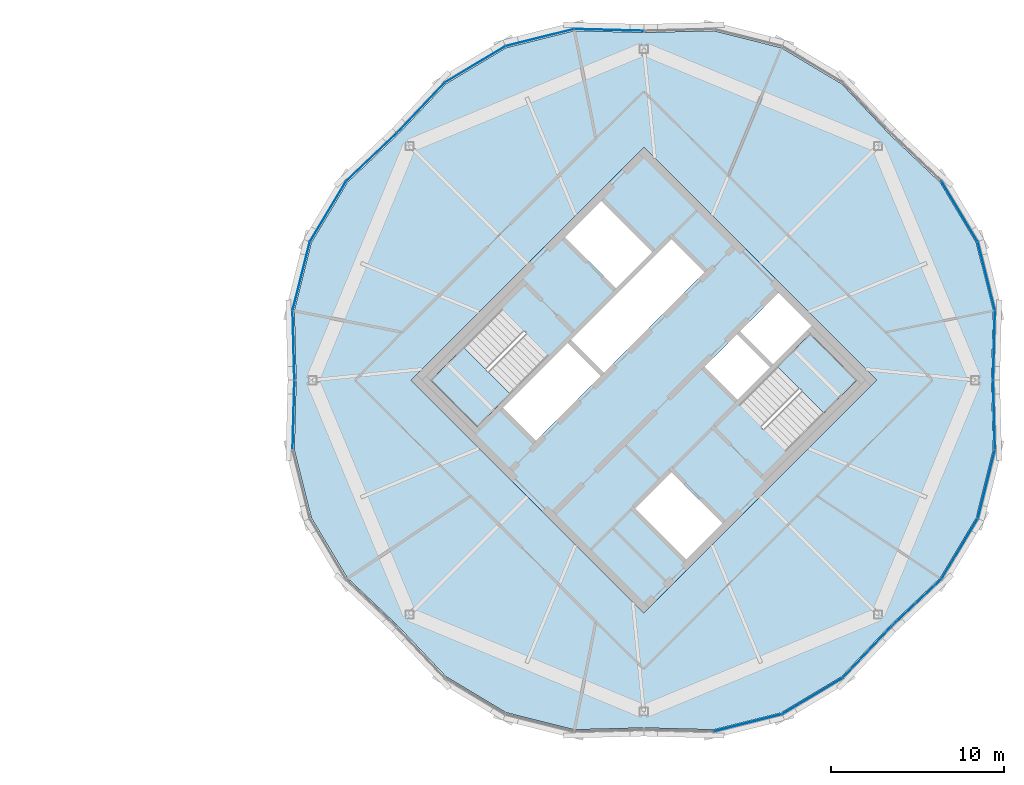
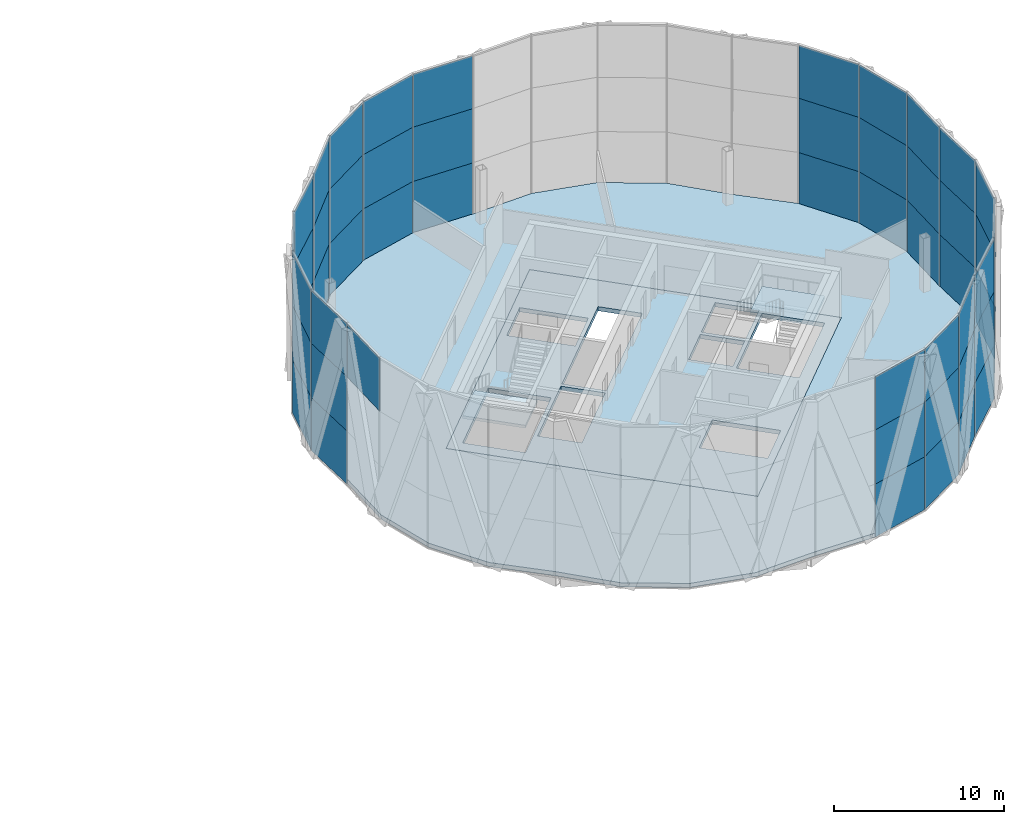
# One storey, part 14 of 22: 55 plates, 4 slabs, 8 elements without a shape of their own.
"""IFC4 building model written with IfcOpenShell, lengths in metres."""

from ifc_helpers import new_model, si_unit, direction, frame, origin, origin_2d, place, context, subcontext, project, spatial, polyline, rectangle, outline, extrude, material, layer, layer_set, type_object, element, aggregate, save


model = new_model("IFC4")

# Units and contexts
model_context = context("Model", 3, precision=1e-05, world=origin(), true_north=direction((0.0, 1.0)))
body_context = subcontext(model_context, "Body", "Model", "MODEL_VIEW")
ifc_project = project(units=[si_unit("LENGTHUNIT", "METRE"), si_unit("AREAUNIT", "SQUARE_METRE"), si_unit("VOLUMEUNIT", "CUBIC_METRE"), si_unit("PLANEANGLEUNIT", "RADIAN"), si_unit("MASSUNIT", "GRAM", prefix="KILO")], contexts=[model_context])

# Site, building, storey
site_placement = place(None, origin())
site = spatial("IfcSite", under=ifc_project, at=site_placement, CompositionType="ELEMENT")
building_placement = place(site_placement, origin())
building = spatial("IfcBuilding", under=site, at=building_placement, Name="Ogive Gate Towers", CompositionType="ELEMENT")
storey_placement = place(building_placement, frame((0.0, 0.0, 228.89990234375)))
storey = spatial("IfcBuildingStorey", under=building, at=storey_placement, Name="L54", CompositionType="ELEMENT", Elevation=228.89990234375)

# Slabs
ifc_material_1 = material(Name="Concrete C40/50", Category="concrete")
ifc_layer_1 = layer(ifc_material_1, 0.300048828125)
ifc_layer_set_1 = layer_set([ifc_layer_1], Name="Core slab C40/50 300 mm")
slab_type_1 = type_object("IfcSlabType", Name="Core slab C40/50 300 mm", PredefinedType="FLOOR", material=ifc_layer_set_1)
slab_1_placement = place(storey_placement, frame((0.0, 0.0, -0.2998046875)))
element("IfcSlab", 1, at=slab_1_placement, inside=storey, type_object=slab_type_1, Name="T2 L54 core slab", PredefinedType="FLOOR", context=body_context, shape_type="SweptSolid", body=[
    extrude(outline(polyline([(36.0, -13.43505859375), (22.56494140625, 0.0), (36.0, 13.43505859375), (49.43505859375, 0.0), (36.0, -13.43505859375)]), holes=[polyline([(29.777587890625, -3.500244140625), (33.525146484375, 0.24755859375), (31.615966796875, 2.15673828125), (27.868408203125, -1.591064453125), (29.777587890625, -3.500244140625)]), polyline([(31.792724609375, 2.33349609375), (33.701904296875, 0.42431640625), (39.500244140625, 6.222412109375), (37.591064453125, 8.131591796875), (31.792724609375, 2.33349609375)]), polyline([(41.3740234375, 2.651611328125), (39.500244140625, 0.77783203125), (41.409423828125, -1.13134765625), (43.283203125, 0.742431640625), (41.3740234375, 2.651611328125)]), polyline([(45.669677734375, 3.12890625), (43.760498046875, 5.0380859375), (41.55078125, 2.828369140625), (43.4599609375, 0.919189453125), (45.669677734375, 3.12890625)]), polyline([(34.408935546875, 5.30322265625), (36.4951171875, 7.389404296875), (33.542724609375, 10.34130859375), (31.456787109375, 8.255615234375), (34.408935546875, 5.30322265625)]), polyline([(35.5048828125, -7.389404296875), (38.457275390625, -10.34130859375), (40.543212890625, -8.255615234375), (37.591064453125, -5.30322265625), (35.5048828125, -7.389404296875)]), polyline([(26.40087890625, -2.70458984375), (30.512939453125, 1.406982421875), (27.80810546875, 4.11181640625), (23.6962890625, 0.0), (26.40087890625, -2.70458984375)]), polyline([(48.3037109375, 0.0), (45.59912109375, 2.70458984375), (41.487060546875, -1.406982421875), (44.19189453125, -4.11181640625), (48.3037109375, 0.0)])]), origin(), (0.0, 0.0, 1.0), 0.2998046875),
])
ifc_material_2 = material(Name="Concrete C35/45", Category="concrete")
ifc_layer_2 = layer(ifc_material_2, 0.300048828125)
ifc_layer_set_2 = layer_set([ifc_layer_2], Name="Floor slab 300")
slab_type_2 = type_object("IfcSlabType", Name="Floor slab 300", PredefinedType="FLOOR", material=ifc_layer_set_2)
slab_2_placement = place(storey_placement, frame((0.0, 0.0, -0.2998046875)))
element("IfcSlab", 2, at=slab_2_placement, inside=storey, type_object=slab_type_2, Name="T2/L54/SSL001", PredefinedType="FLOOR", context=body_context, shape_type="SweptSolid", body=[
    extrude(outline(polyline([(56.155029296875, -4.009033203125), (56.050048828125, 0.0), (56.155029296875, 4.009033203125), (55.17041015625, 7.940673828125), (53.086669921875, 11.4169921875), (50.177490234375, 14.177490234375), (47.4169921875, 17.086669921875), (43.940673828125, 19.17041015625), (40.009033203125, 20.155029296875), (36.0, 20.050048828125), (31.990966796875, 20.155029296875), (28.059326171875, 19.17041015625), (24.5830078125, 17.086669921875), (21.822509765625, 14.177490234375), (18.913330078125, 11.4169921875), (16.82958984375, 7.940673828125), (15.844970703125, 4.009033203125), (15.949951171875, 0.0), (15.844970703125, -4.009033203125), (16.82958984375, -7.940673828125), (18.913330078125, -11.4169921875), (21.822509765625, -14.177490234375), (24.5830078125, -17.086669921875), (28.059326171875, -19.17041015625), (31.990966796875, -20.155029296875), (36.0, -20.050048828125), (40.009033203125, -20.155029296875), (43.940673828125, -19.17041015625), (47.4169921875, -17.086669921875), (50.177490234375, -14.177490234375), (53.086669921875, -11.4169921875), (55.17041015625, -7.940673828125), (56.155029296875, -4.009033203125)]), holes=[polyline([(49.43505859375, 0.0), (36.0, -13.43505859375), (22.56494140625, 0.0), (36.0, 13.43505859375), (49.43505859375, 0.0)])]), origin(), (0.0, 0.0, 1.0), 0.2998046875),
])

# Stair, slab
stair_type = type_object("IfcStairType", Name="Escape stair 1840 wide", PredefinedType="HALF_TURN_STAIR", material=ifc_material_1)
stair_1_placement = place(storey_placement, origin())
stair_1 = element("IfcStair", 3, at=stair_1_placement, inside=storey, type_object=stair_type, Name="L54 Escape stair 1", PredefinedType="HALF_TURN_STAIR")
ifc_layer_3 = layer(ifc_material_1, 0.199951171875)
ifc_layer_set_3 = layer_set([ifc_layer_3], Name="Stair landing 200 mm")
slab_type_3 = type_object("IfcSlabType", Name="Stair landing 200 mm", PredefinedType="LANDING", material=ifc_layer_set_3)
slab_3_placement = place(storey_placement, frame((0.0, 0.0, 1.75)))
slab_3 = element("IfcSlab", 4, at=slab_3_placement, type_object=slab_type_3, Name="ST1 landing 1", PredefinedType="LANDING", context=body_context, shape_type="SweptSolid", body=[
    extrude(outline(polyline([(25.6044921875, 1.908203125), (23.6962890625, 0.0), (26.401123046875, -2.70458984375), (28.309326171875, -0.79638671875), (25.6044921875, 1.908203125)])), origin(), (0.0, 0.0, 1.0), 0.2001953125),
])
aggregate(stair_1, [slab_3])

stair_2_placement = place(storey_placement, origin())
stair_2 = element("IfcStair", 5, at=stair_2_placement, inside=storey, type_object=stair_type, Name="L54 Escape stair 2", PredefinedType="HALF_TURN_STAIR")
slab_4_placement = place(storey_placement, frame((0.0, 0.0, 1.75)))
slab_4 = element("IfcSlab", 6, at=slab_4_placement, type_object=slab_type_3, Name="ST2 landing 1", PredefinedType="LANDING", context=body_context, shape_type="SweptSolid", body=[
    extrude(outline(polyline([(46.3955078125, -1.908203125), (48.3037109375, 0.0), (45.598876953125, 2.70458984375), (43.690673828125, 0.79638671875), (46.3955078125, -1.908203125)])), origin(), (0.0, 0.0, 1.0), 0.2001953125),
])
aggregate(stair_2, [slab_4])

# Curtain wall, plates
ifc_material_3 = material(Name="Pale metal aluminium", Category="aluminium")
curtain_wall_type = type_object("IfcCurtainWallType", Name="Tower unitised wall, high zone", PredefinedType="NOTDEFINED", material=ifc_material_3)
curtain_wall_1_placement = place(storey_placement, origin())
curtain_wall_1 = element("IfcCurtainWall", 7, at=curtain_wall_1_placement, inside=storey, type_object=curtain_wall_type, Name="CW2 T2 ECW01", PredefinedType="NOTDEFINED")
ifc_material_4 = material(Name="Clear glass", Category="glass")
ifc_layer_4 = layer(ifc_material_4, 0.028076171875)
ifc_layer_set_4 = layer_set([ifc_layer_4], Name="Tower unitised wall, high zone glass panel")
plate_type = type_object("IfcPlateType", Name="Tower unitised wall, high zone glass panel", PredefinedType="CURTAIN_PANEL", material=ifc_layer_set_4)
plate_1_placement = place(storey_placement, frame((56.20263671875, 2.008056640625, -0.2041015625), z_axis=(0.0, 0.0, 1.0), x_axis=(0.026229290207, 0.999655952983, 0.0)))
plate_1 = element("IfcPlate", 8, at=plate_1_placement, type_object=plate_type, Name="CW2 glass panel", PredefinedType="CURTAIN_PANEL", context=body_context, shape_type="SweptSolid", body=[
    extrude(rectangle(XDim=3.963623046875, YDim=0.028076171875, at=origin_2d()), origin(), (0.0, 0.0, 1.0), 3.803955078125),
])
plate_2_placement = place(storey_placement, frame((56.20263671875, 2.008056640625, 3.60009765625), z_axis=(0.0, 0.0, 1.0), x_axis=(0.026229290207, 0.999655952983, 0.0)))
plate_2 = element("IfcPlate", 9, at=plate_2_placement, type_object=plate_type, Name="CW2 glass panel", PredefinedType="CURTAIN_PANEL", context=body_context, shape_type="SweptSolid", body=[
    extrude(rectangle(XDim=3.963623046875, YDim=0.028076171875, at=origin_2d()), origin(), (0.0, 0.0, 1.0), 3.89990234375),
])
plate_3_placement = place(storey_placement, frame((56.20263671875, 2.008056640625, 7.5), z_axis=(0.0, 0.0, 1.0), x_axis=(0.026229290207, 0.999655952983, 0.0)))
plate_3 = element("IfcPlate", 10, at=plate_3_placement, type_object=plate_type, Name="CW2 glass panel", PredefinedType="CURTAIN_PANEL", context=body_context, shape_type="SweptSolid", body=[
    extrude(rectangle(XDim=3.963623046875, YDim=0.028076171875, at=origin_2d()), origin(), (0.0, 0.0, 1.0), 3.803955078125),
])
plate_4_placement = place(storey_placement, frame((55.759765625, 5.999755859375, -0.2041015625), z_axis=(0.0, 0.0, 1.0), x_axis=(-0.242937854074, 0.970041854282, 0.0)))
plate_4 = element("IfcPlate", 11, at=plate_4_placement, type_object=plate_type, Name="CW2 glass panel", PredefinedType="CURTAIN_PANEL", context=body_context, shape_type="SweptSolid", body=[
    extrude(rectangle(XDim=4.01953125, YDim=0.028076171875, at=origin_2d()), origin(), (0.0, 0.0, 1.0), 3.803955078125),
])
plate_5_placement = place(storey_placement, frame((55.759765625, 5.999755859375, 3.60009765625), z_axis=(0.0, 0.0, 1.0), x_axis=(-0.242937854074, 0.970041854282, 0.0)))
plate_5 = element("IfcPlate", 12, at=plate_5_placement, type_object=plate_type, Name="CW2 glass panel", PredefinedType="CURTAIN_PANEL", context=body_context, shape_type="SweptSolid", body=[
    extrude(rectangle(XDim=4.01953125, YDim=0.028076171875, at=origin_2d()), origin(), (0.0, 0.0, 1.0), 3.89990234375),
])
plate_6_placement = place(storey_placement, frame((55.759765625, 5.999755859375, 7.5), z_axis=(0.0, 0.0, 1.0), x_axis=(-0.242937854074, 0.970041854282, 0.0)))
plate_6 = element("IfcPlate", 13, at=plate_6_placement, type_object=plate_type, Name="CW2 glass panel", PredefinedType="CURTAIN_PANEL", context=body_context, shape_type="SweptSolid", body=[
    extrude(rectangle(XDim=4.01953125, YDim=0.028076171875, at=origin_2d()), origin(), (0.0, 0.0, 1.0), 3.803955078125),
])
plate_7_placement = place(storey_placement, frame((54.214599609375, 9.729736328125, -0.2041015625), z_axis=(0.0, 0.0, 1.0), x_axis=(-0.514155138893, 0.85769720365, 0.0)))
plate_7 = element("IfcPlate", 14, at=plate_7_placement, type_object=plate_type, Name="CW2 glass panel", PredefinedType="CURTAIN_PANEL", context=body_context, shape_type="SweptSolid", body=[
    extrude(rectangle(XDim=4.01953125, YDim=0.028076171875, at=origin_2d()), origin(), (0.0, 0.0, 1.0), 3.803955078125),
])
plate_8_placement = place(storey_placement, frame((54.214599609375, 9.729736328125, 3.60009765625), z_axis=(0.0, 0.0, 1.0), x_axis=(-0.514155138893, 0.85769720365, 0.0)))
plate_8 = element("IfcPlate", 15, at=plate_8_placement, type_object=plate_type, Name="CW2 glass panel", PredefinedType="CURTAIN_PANEL", context=body_context, shape_type="SweptSolid", body=[
    extrude(rectangle(XDim=4.01953125, YDim=0.028076171875, at=origin_2d()), origin(), (0.0, 0.0, 1.0), 3.89990234375),
])
plate_9_placement = place(storey_placement, frame((54.214599609375, 9.729736328125, 7.5), z_axis=(0.0, 0.0, 1.0), x_axis=(-0.514155138893, 0.85769720365, 0.0)))
plate_9 = element("IfcPlate", 16, at=plate_9_placement, type_object=plate_type, Name="CW2 glass panel", PredefinedType="CURTAIN_PANEL", context=body_context, shape_type="SweptSolid", body=[
    extrude(rectangle(XDim=4.01953125, YDim=0.028076171875, at=origin_2d()), origin(), (0.0, 0.0, 1.0), 3.803955078125),
])
aggregate(curtain_wall_1, [plate_1, plate_2, plate_3, plate_4, plate_5, plate_6, plate_7, plate_8, plate_9])

curtain_wall_2_placement = place(storey_placement, origin())
curtain_wall_2 = element("IfcCurtainWall", 17, at=curtain_wall_2_placement, inside=storey, type_object=curtain_wall_type, Name="CW2 T2 ECW03", PredefinedType="NOTDEFINED")
plate_10_placement = place(storey_placement, frame((33.991943359375, 20.20263671875, -0.2041015625), z_axis=(0.0, 0.0, 1.0), x_axis=(-0.999655952983, 0.026229290207, 0.0)))
plate_10 = element("IfcPlate", 18, at=plate_10_placement, type_object=plate_type, Name="CW2 glass panel", PredefinedType="CURTAIN_PANEL", context=body_context, shape_type="SweptSolid", body=[
    extrude(rectangle(XDim=3.963623046875, YDim=0.028076171875, at=origin_2d()), origin(), (0.0, 0.0, 1.0), 3.803955078125),
])
plate_11_placement = place(storey_placement, frame((33.991943359375, 20.20263671875, 3.60009765625), z_axis=(0.0, 0.0, 1.0), x_axis=(-0.999655952983, 0.026229290207, 0.0)))
plate_11 = element("IfcPlate", 19, at=plate_11_placement, type_object=plate_type, Name="CW2 glass panel", PredefinedType="CURTAIN_PANEL", context=body_context, shape_type="SweptSolid", body=[
    extrude(rectangle(XDim=3.963623046875, YDim=0.028076171875, at=origin_2d()), origin(), (0.0, 0.0, 1.0), 3.89990234375),
])
plate_12_placement = place(storey_placement, frame((33.991943359375, 20.20263671875, 7.5), z_axis=(0.0, 0.0, 1.0), x_axis=(-0.999655952983, 0.026229290207, 0.0)))
plate_12 = element("IfcPlate", 20, at=plate_12_placement, type_object=plate_type, Name="CW2 glass panel", PredefinedType="CURTAIN_PANEL", context=body_context, shape_type="SweptSolid", body=[
    extrude(rectangle(XDim=3.963623046875, YDim=0.028076171875, at=origin_2d()), origin(), (0.0, 0.0, 1.0), 3.803955078125),
])
plate_13_placement = place(storey_placement, frame((30.000244140625, 19.759765625, -0.2041015625), z_axis=(0.0, 0.0, 1.0), x_axis=(-0.970041854282, -0.242937854074, 0.0)))
plate_13 = element("IfcPlate", 21, at=plate_13_placement, type_object=plate_type, Name="CW2 glass panel", PredefinedType="CURTAIN_PANEL", context=body_context, shape_type="SweptSolid", body=[
    extrude(rectangle(XDim=4.01953125, YDim=0.028076171875, at=origin_2d()), origin(), (0.0, 0.0, 1.0), 3.803955078125),
])
plate_14_placement = place(storey_placement, frame((30.000244140625, 19.759765625, 3.60009765625), z_axis=(0.0, 0.0, 1.0), x_axis=(-0.970041854282, -0.242937854074, 0.0)))
plate_14 = element("IfcPlate", 22, at=plate_14_placement, type_object=plate_type, Name="CW2 glass panel", PredefinedType="CURTAIN_PANEL", context=body_context, shape_type="SweptSolid", body=[
    extrude(rectangle(XDim=4.01953125, YDim=0.028076171875, at=origin_2d()), origin(), (0.0, 0.0, 1.0), 3.89990234375),
])
plate_15_placement = place(storey_placement, frame((30.000244140625, 19.759765625, 7.5), z_axis=(0.0, 0.0, 1.0), x_axis=(-0.970041854282, -0.242937854074, 0.0)))
plate_15 = element("IfcPlate", 23, at=plate_15_placement, type_object=plate_type, Name="CW2 glass panel", PredefinedType="CURTAIN_PANEL", context=body_context, shape_type="SweptSolid", body=[
    extrude(rectangle(XDim=4.01953125, YDim=0.028076171875, at=origin_2d()), origin(), (0.0, 0.0, 1.0), 3.803955078125),
])
plate_16_placement = place(storey_placement, frame((26.270263671875, 18.214599609375, -0.2041015625), z_axis=(0.0, 0.0, 1.0), x_axis=(-0.85769720365, -0.514155138893, 0.0)))
plate_16 = element("IfcPlate", 24, at=plate_16_placement, type_object=plate_type, Name="CW2 glass panel", PredefinedType="CURTAIN_PANEL", context=body_context, shape_type="SweptSolid", body=[
    extrude(rectangle(XDim=4.01953125, YDim=0.028076171875, at=origin_2d()), origin(), (0.0, 0.0, 1.0), 3.803955078125),
])
plate_17_placement = place(storey_placement, frame((26.270263671875, 18.214599609375, 3.60009765625), z_axis=(0.0, 0.0, 1.0), x_axis=(-0.85769720365, -0.514155138893, 0.0)))
plate_17 = element("IfcPlate", 25, at=plate_17_placement, type_object=plate_type, Name="CW2 glass panel", PredefinedType="CURTAIN_PANEL", context=body_context, shape_type="SweptSolid", body=[
    extrude(rectangle(XDim=4.01953125, YDim=0.028076171875, at=origin_2d()), origin(), (0.0, 0.0, 1.0), 3.89990234375),
])
plate_18_placement = place(storey_placement, frame((26.270263671875, 18.214599609375, 7.5), z_axis=(0.0, 0.0, 1.0), x_axis=(-0.85769720365, -0.514155138893, 0.0)))
plate_18 = element("IfcPlate", 26, at=plate_18_placement, type_object=plate_type, Name="CW2 glass panel", PredefinedType="CURTAIN_PANEL", context=body_context, shape_type="SweptSolid", body=[
    extrude(rectangle(XDim=4.01953125, YDim=0.028076171875, at=origin_2d()), origin(), (0.0, 0.0, 1.0), 3.803955078125),
])
plate_19_placement = place(storey_placement, frame((23.134521484375, 15.705322265625, -0.2041015625), z_axis=(0.0, 0.0, 1.0), x_axis=(-0.688329254932, -0.725398398678, 0.0)))
plate_19 = element("IfcPlate", 27, at=plate_19_placement, type_object=plate_type, Name="CW2 glass panel", PredefinedType="CURTAIN_PANEL", context=body_context, shape_type="SweptSolid", body=[
    extrude(rectangle(XDim=3.963623046875, YDim=0.028076171875, at=origin_2d()), origin(), (0.0, 0.0, 1.0), 3.803955078125),
])
plate_20_placement = place(storey_placement, frame((23.134521484375, 15.705322265625, 3.60009765625), z_axis=(0.0, 0.0, 1.0), x_axis=(-0.688329254932, -0.725398398678, 0.0)))
plate_20 = element("IfcPlate", 28, at=plate_20_placement, type_object=plate_type, Name="CW2 glass panel", PredefinedType="CURTAIN_PANEL", context=body_context, shape_type="SweptSolid", body=[
    extrude(rectangle(XDim=3.963623046875, YDim=0.028076171875, at=origin_2d()), origin(), (0.0, 0.0, 1.0), 3.89990234375),
])
plate_21_placement = place(storey_placement, frame((23.134521484375, 15.705322265625, 7.5), z_axis=(0.0, 0.0, 1.0), x_axis=(-0.688329254932, -0.725398398678, 0.0)))
plate_21 = element("IfcPlate", 29, at=plate_21_placement, type_object=plate_type, Name="CW2 glass panel", PredefinedType="CURTAIN_PANEL", context=body_context, shape_type="SweptSolid", body=[
    extrude(rectangle(XDim=3.963623046875, YDim=0.028076171875, at=origin_2d()), origin(), (0.0, 0.0, 1.0), 3.803955078125),
])
aggregate(curtain_wall_2, [plate_10, plate_11, plate_12, plate_13, plate_14, plate_15, plate_16, plate_17, plate_18, plate_19, plate_20, plate_21])

curtain_wall_3_placement = place(storey_placement, origin())
curtain_wall_3 = element("IfcCurtainWall", 30, at=curtain_wall_3_placement, inside=storey, type_object=curtain_wall_type, Name="CW2 T2 ECW04", PredefinedType="NOTDEFINED")
plate_22_placement = place(storey_placement, frame((20.294677734375, 12.865478515625, -0.2041015625), z_axis=(0.0, 0.0, 1.0), x_axis=(-0.725398398678, -0.688329254932, 0.0)))
plate_22 = element("IfcPlate", 31, at=plate_22_placement, type_object=plate_type, Name="CW2 glass panel", PredefinedType="CURTAIN_PANEL", context=body_context, shape_type="SweptSolid", body=[
    extrude(rectangle(XDim=3.963623046875, YDim=0.028076171875, at=origin_2d()), origin(), (0.0, 0.0, 1.0), 3.803955078125),
])
plate_23_placement = place(storey_placement, frame((20.294677734375, 12.865478515625, 3.60009765625), z_axis=(0.0, 0.0, 1.0), x_axis=(-0.725398398678, -0.688329254932, 0.0)))
plate_23 = element("IfcPlate", 32, at=plate_23_placement, type_object=plate_type, Name="CW2 glass panel", PredefinedType="CURTAIN_PANEL", context=body_context, shape_type="SweptSolid", body=[
    extrude(rectangle(XDim=3.963623046875, YDim=0.028076171875, at=origin_2d()), origin(), (0.0, 0.0, 1.0), 3.89990234375),
])
plate_24_placement = place(storey_placement, frame((20.294677734375, 12.865478515625, 7.5), z_axis=(0.0, 0.0, 1.0), x_axis=(-0.725398398678, -0.688329254932, 0.0)))
plate_24 = element("IfcPlate", 33, at=plate_24_placement, type_object=plate_type, Name="CW2 glass panel", PredefinedType="CURTAIN_PANEL", context=body_context, shape_type="SweptSolid", body=[
    extrude(rectangle(XDim=3.963623046875, YDim=0.028076171875, at=origin_2d()), origin(), (0.0, 0.0, 1.0), 3.803955078125),
])
plate_25_placement = place(storey_placement, frame((17.785400390625, 9.729736328125, -0.2041015625), z_axis=(0.0, 0.0, 1.0), x_axis=(-0.514155138893, -0.85769720365, 0.0)))
plate_25 = element("IfcPlate", 34, at=plate_25_placement, type_object=plate_type, Name="CW2 glass panel", PredefinedType="CURTAIN_PANEL", context=body_context, shape_type="SweptSolid", body=[
    extrude(rectangle(XDim=4.01953125, YDim=0.028076171875, at=origin_2d()), origin(), (0.0, 0.0, 1.0), 3.803955078125),
])
plate_26_placement = place(storey_placement, frame((17.785400390625, 9.729736328125, 3.60009765625), z_axis=(0.0, 0.0, 1.0), x_axis=(-0.514155138893, -0.85769720365, 0.0)))
plate_26 = element("IfcPlate", 35, at=plate_26_placement, type_object=plate_type, Name="CW2 glass panel", PredefinedType="CURTAIN_PANEL", context=body_context, shape_type="SweptSolid", body=[
    extrude(rectangle(XDim=4.01953125, YDim=0.028076171875, at=origin_2d()), origin(), (0.0, 0.0, 1.0), 3.89990234375),
])
plate_27_placement = place(storey_placement, frame((17.785400390625, 9.729736328125, 7.5), z_axis=(0.0, 0.0, 1.0), x_axis=(-0.514155138893, -0.85769720365, 0.0)))
plate_27 = element("IfcPlate", 36, at=plate_27_placement, type_object=plate_type, Name="CW2 glass panel", PredefinedType="CURTAIN_PANEL", context=body_context, shape_type="SweptSolid", body=[
    extrude(rectangle(XDim=4.01953125, YDim=0.028076171875, at=origin_2d()), origin(), (0.0, 0.0, 1.0), 3.803955078125),
])
plate_28_placement = place(storey_placement, frame((16.240234375, 5.999755859375, -0.2041015625), z_axis=(0.0, 0.0, 1.0), x_axis=(-0.242937854074, -0.970041854282, 0.0)))
plate_28 = element("IfcPlate", 37, at=plate_28_placement, type_object=plate_type, Name="CW2 glass panel", PredefinedType="CURTAIN_PANEL", context=body_context, shape_type="SweptSolid", body=[
    extrude(rectangle(XDim=4.01953125, YDim=0.028076171875, at=origin_2d()), origin(), (0.0, 0.0, 1.0), 3.803955078125),
])
plate_29_placement = place(storey_placement, frame((16.240234375, 5.999755859375, 3.60009765625), z_axis=(0.0, 0.0, 1.0), x_axis=(-0.242937854074, -0.970041854282, 0.0)))
plate_29 = element("IfcPlate", 38, at=plate_29_placement, type_object=plate_type, Name="CW2 glass panel", PredefinedType="CURTAIN_PANEL", context=body_context, shape_type="SweptSolid", body=[
    extrude(rectangle(XDim=4.01953125, YDim=0.028076171875, at=origin_2d()), origin(), (0.0, 0.0, 1.0), 3.89990234375),
])
plate_30_placement = place(storey_placement, frame((16.240234375, 5.999755859375, 7.5), z_axis=(0.0, 0.0, 1.0), x_axis=(-0.242937854074, -0.970041854282, 0.0)))
plate_30 = element("IfcPlate", 39, at=plate_30_placement, type_object=plate_type, Name="CW2 glass panel", PredefinedType="CURTAIN_PANEL", context=body_context, shape_type="SweptSolid", body=[
    extrude(rectangle(XDim=4.01953125, YDim=0.028076171875, at=origin_2d()), origin(), (0.0, 0.0, 1.0), 3.803955078125),
])
plate_31_placement = place(storey_placement, frame((15.79736328125, 2.008056640625, -0.2041015625), z_axis=(0.0, 0.0, 1.0), x_axis=(0.026229290207, -0.999655952983, 0.0)))
plate_31 = element("IfcPlate", 40, at=plate_31_placement, type_object=plate_type, Name="CW2 glass panel", PredefinedType="CURTAIN_PANEL", context=body_context, shape_type="SweptSolid", body=[
    extrude(rectangle(XDim=3.963623046875, YDim=0.028076171875, at=origin_2d()), origin(), (0.0, 0.0, 1.0), 3.803955078125),
])
plate_32_placement = place(storey_placement, frame((15.79736328125, 2.008056640625, 3.60009765625), z_axis=(0.0, 0.0, 1.0), x_axis=(0.026229290207, -0.999655952983, 0.0)))
plate_32 = element("IfcPlate", 41, at=plate_32_placement, type_object=plate_type, Name="CW2 glass panel", PredefinedType="CURTAIN_PANEL", context=body_context, shape_type="SweptSolid", body=[
    extrude(rectangle(XDim=3.963623046875, YDim=0.028076171875, at=origin_2d()), origin(), (0.0, 0.0, 1.0), 3.89990234375),
])
plate_33_placement = place(storey_placement, frame((15.79736328125, 2.008056640625, 7.5), z_axis=(0.0, 0.0, 1.0), x_axis=(0.026229290207, -0.999655952983, 0.0)))
plate_33 = element("IfcPlate", 42, at=plate_33_placement, type_object=plate_type, Name="CW2 glass panel", PredefinedType="CURTAIN_PANEL", context=body_context, shape_type="SweptSolid", body=[
    extrude(rectangle(XDim=3.963623046875, YDim=0.028076171875, at=origin_2d()), origin(), (0.0, 0.0, 1.0), 3.803955078125),
])
aggregate(curtain_wall_3, [plate_22, plate_23, plate_24, plate_25, plate_26, plate_27, plate_28, plate_29, plate_30, plate_31, plate_32, plate_33])

# Curtain wall, plate
curtain_wall_4_placement = place(storey_placement, origin())
curtain_wall_4 = element("IfcCurtainWall", 43, at=curtain_wall_4_placement, inside=storey, type_object=curtain_wall_type, Name="CW2 T2 ECW05", PredefinedType="NOTDEFINED")
plate_34_placement = place(storey_placement, frame((15.79736328125, -2.008056640625, 7.5), z_axis=(0.0, 0.0, 1.0), x_axis=(-0.026229290207, -0.999655952983, 0.0)))
plate_34 = element("IfcPlate", 44, at=plate_34_placement, type_object=plate_type, Name="CW2 glass panel", PredefinedType="CURTAIN_PANEL", context=body_context, shape_type="SweptSolid", body=[
    extrude(rectangle(XDim=3.963623046875, YDim=0.028076171875, at=origin_2d()), origin(), (0.0, 0.0, 1.0), 3.803955078125),
])
aggregate(curtain_wall_4, [plate_34])

# Curtain wall, plates
curtain_wall_5_placement = place(storey_placement, origin())
curtain_wall_5 = element("IfcCurtainWall", 45, at=curtain_wall_5_placement, inside=storey, type_object=curtain_wall_type, Name="CW2 T2 ECW07", PredefinedType="NOTDEFINED")
plate_35_placement = place(storey_placement, frame((41.999755859375, -19.759765625, -0.2041015625), z_axis=(0.0, 0.0, 1.0), x_axis=(0.970041854282, 0.242937854074, 0.0)))
plate_35 = element("IfcPlate", 46, at=plate_35_placement, type_object=plate_type, Name="CW2 glass panel", PredefinedType="CURTAIN_PANEL", context=body_context, shape_type="SweptSolid", body=[
    extrude(rectangle(XDim=4.01953125, YDim=0.028076171875, at=origin_2d()), origin(), (0.0, 0.0, 1.0), 3.803955078125),
])
plate_36_placement = place(storey_placement, frame((41.999755859375, -19.759765625, 3.60009765625), z_axis=(0.0, 0.0, 1.0), x_axis=(0.970041854282, 0.242937854074, 0.0)))
plate_36 = element("IfcPlate", 47, at=plate_36_placement, type_object=plate_type, Name="CW2 glass panel", PredefinedType="CURTAIN_PANEL", context=body_context, shape_type="SweptSolid", body=[
    extrude(rectangle(XDim=4.01953125, YDim=0.028076171875, at=origin_2d()), origin(), (0.0, 0.0, 1.0), 3.89990234375),
])
plate_37_placement = place(storey_placement, frame((41.999755859375, -19.759765625, 7.5), z_axis=(0.0, 0.0, 1.0), x_axis=(0.970041854282, 0.242937854074, 0.0)))
plate_37 = element("IfcPlate", 48, at=plate_37_placement, type_object=plate_type, Name="CW2 glass panel", PredefinedType="CURTAIN_PANEL", context=body_context, shape_type="SweptSolid", body=[
    extrude(rectangle(XDim=4.01953125, YDim=0.028076171875, at=origin_2d()), origin(), (0.0, 0.0, 1.0), 3.803955078125),
])
plate_38_placement = place(storey_placement, frame((45.729736328125, -18.214599609375, -0.2041015625), z_axis=(0.0, 0.0, 1.0), x_axis=(0.85769720365, 0.514155138893, 0.0)))
plate_38 = element("IfcPlate", 49, at=plate_38_placement, type_object=plate_type, Name="CW2 glass panel", PredefinedType="CURTAIN_PANEL", context=body_context, shape_type="SweptSolid", body=[
    extrude(rectangle(XDim=4.01953125, YDim=0.028076171875, at=origin_2d()), origin(), (0.0, 0.0, 1.0), 3.803955078125),
])
plate_39_placement = place(storey_placement, frame((45.729736328125, -18.214599609375, 3.60009765625), z_axis=(0.0, 0.0, 1.0), x_axis=(0.85769720365, 0.514155138893, 0.0)))
plate_39 = element("IfcPlate", 50, at=plate_39_placement, type_object=plate_type, Name="CW2 glass panel", PredefinedType="CURTAIN_PANEL", context=body_context, shape_type="SweptSolid", body=[
    extrude(rectangle(XDim=4.01953125, YDim=0.028076171875, at=origin_2d()), origin(), (0.0, 0.0, 1.0), 3.89990234375),
])
plate_40_placement = place(storey_placement, frame((45.729736328125, -18.214599609375, 7.5), z_axis=(0.0, 0.0, 1.0), x_axis=(0.85769720365, 0.514155138893, 0.0)))
plate_40 = element("IfcPlate", 51, at=plate_40_placement, type_object=plate_type, Name="CW2 glass panel", PredefinedType="CURTAIN_PANEL", context=body_context, shape_type="SweptSolid", body=[
    extrude(rectangle(XDim=4.01953125, YDim=0.028076171875, at=origin_2d()), origin(), (0.0, 0.0, 1.0), 3.803955078125),
])
plate_41_placement = place(storey_placement, frame((48.865478515625, -15.705322265625, -0.2041015625), z_axis=(0.0, 0.0, 1.0), x_axis=(0.688329254932, 0.725398398678, 0.0)))
plate_41 = element("IfcPlate", 52, at=plate_41_placement, type_object=plate_type, Name="CW2 glass panel", PredefinedType="CURTAIN_PANEL", context=body_context, shape_type="SweptSolid", body=[
    extrude(rectangle(XDim=3.963623046875, YDim=0.028076171875, at=origin_2d()), origin(), (0.0, 0.0, 1.0), 3.803955078125),
])
plate_42_placement = place(storey_placement, frame((48.865478515625, -15.705322265625, 3.60009765625), z_axis=(0.0, 0.0, 1.0), x_axis=(0.688329254932, 0.725398398678, 0.0)))
plate_42 = element("IfcPlate", 53, at=plate_42_placement, type_object=plate_type, Name="CW2 glass panel", PredefinedType="CURTAIN_PANEL", context=body_context, shape_type="SweptSolid", body=[
    extrude(rectangle(XDim=3.963623046875, YDim=0.028076171875, at=origin_2d()), origin(), (0.0, 0.0, 1.0), 3.89990234375),
])
plate_43_placement = place(storey_placement, frame((48.865478515625, -15.705322265625, 7.5), z_axis=(0.0, 0.0, 1.0), x_axis=(0.688329254932, 0.725398398678, 0.0)))
plate_43 = element("IfcPlate", 54, at=plate_43_placement, type_object=plate_type, Name="CW2 glass panel", PredefinedType="CURTAIN_PANEL", context=body_context, shape_type="SweptSolid", body=[
    extrude(rectangle(XDim=3.963623046875, YDim=0.028076171875, at=origin_2d()), origin(), (0.0, 0.0, 1.0), 3.803955078125),
])
aggregate(curtain_wall_5, [plate_35, plate_36, plate_37, plate_38, plate_39, plate_40, plate_41, plate_42, plate_43])

curtain_wall_6_placement = place(storey_placement, origin())
curtain_wall_6 = element("IfcCurtainWall", 55, at=curtain_wall_6_placement, inside=storey, type_object=curtain_wall_type, Name="CW2 T2 ECW08", PredefinedType="NOTDEFINED")
plate_44_placement = place(storey_placement, frame((51.705322265625, -12.865478515625, -0.2041015625), z_axis=(0.0, 0.0, 1.0), x_axis=(0.725398398678, 0.688329254932, 0.0)))
plate_44 = element("IfcPlate", 56, at=plate_44_placement, type_object=plate_type, Name="CW2 glass panel", PredefinedType="CURTAIN_PANEL", context=body_context, shape_type="SweptSolid", body=[
    extrude(rectangle(XDim=3.963623046875, YDim=0.028076171875, at=origin_2d()), origin(), (0.0, 0.0, 1.0), 3.803955078125),
])
plate_45_placement = place(storey_placement, frame((51.705322265625, -12.865478515625, 3.60009765625), z_axis=(0.0, 0.0, 1.0), x_axis=(0.725398398678, 0.688329254932, 0.0)))
plate_45 = element("IfcPlate", 57, at=plate_45_placement, type_object=plate_type, Name="CW2 glass panel", PredefinedType="CURTAIN_PANEL", context=body_context, shape_type="SweptSolid", body=[
    extrude(rectangle(XDim=3.963623046875, YDim=0.028076171875, at=origin_2d()), origin(), (0.0, 0.0, 1.0), 3.89990234375),
])
plate_46_placement = place(storey_placement, frame((51.705322265625, -12.865478515625, 7.5), z_axis=(0.0, 0.0, 1.0), x_axis=(0.725398398678, 0.688329254932, 0.0)))
plate_46 = element("IfcPlate", 58, at=plate_46_placement, type_object=plate_type, Name="CW2 glass panel", PredefinedType="CURTAIN_PANEL", context=body_context, shape_type="SweptSolid", body=[
    extrude(rectangle(XDim=3.963623046875, YDim=0.028076171875, at=origin_2d()), origin(), (0.0, 0.0, 1.0), 3.803955078125),
])
plate_47_placement = place(storey_placement, frame((54.214599609375, -9.729736328125, -0.2041015625), z_axis=(0.0, 0.0, 1.0), x_axis=(0.514155138893, 0.85769720365, 0.0)))
plate_47 = element("IfcPlate", 59, at=plate_47_placement, type_object=plate_type, Name="CW2 glass panel", PredefinedType="CURTAIN_PANEL", context=body_context, shape_type="SweptSolid", body=[
    extrude(rectangle(XDim=4.01953125, YDim=0.028076171875, at=origin_2d()), origin(), (0.0, 0.0, 1.0), 3.803955078125),
])
plate_48_placement = place(storey_placement, frame((54.214599609375, -9.729736328125, 3.60009765625), z_axis=(0.0, 0.0, 1.0), x_axis=(0.514155138893, 0.85769720365, 0.0)))
plate_48 = element("IfcPlate", 60, at=plate_48_placement, type_object=plate_type, Name="CW2 glass panel", PredefinedType="CURTAIN_PANEL", context=body_context, shape_type="SweptSolid", body=[
    extrude(rectangle(XDim=4.01953125, YDim=0.028076171875, at=origin_2d()), origin(), (0.0, 0.0, 1.0), 3.89990234375),
])
plate_49_placement = place(storey_placement, frame((54.214599609375, -9.729736328125, 7.5), z_axis=(0.0, 0.0, 1.0), x_axis=(0.514155138893, 0.85769720365, 0.0)))
plate_49 = element("IfcPlate", 61, at=plate_49_placement, type_object=plate_type, Name="CW2 glass panel", PredefinedType="CURTAIN_PANEL", context=body_context, shape_type="SweptSolid", body=[
    extrude(rectangle(XDim=4.01953125, YDim=0.028076171875, at=origin_2d()), origin(), (0.0, 0.0, 1.0), 3.803955078125),
])
plate_50_placement = place(storey_placement, frame((55.759765625, -5.999755859375, -0.2041015625), z_axis=(0.0, 0.0, 1.0), x_axis=(0.242937854074, 0.970041854282, 0.0)))
plate_50 = element("IfcPlate", 62, at=plate_50_placement, type_object=plate_type, Name="CW2 glass panel", PredefinedType="CURTAIN_PANEL", context=body_context, shape_type="SweptSolid", body=[
    extrude(rectangle(XDim=4.01953125, YDim=0.028076171875, at=origin_2d()), origin(), (0.0, 0.0, 1.0), 3.803955078125),
])
plate_51_placement = place(storey_placement, frame((55.759765625, -5.999755859375, 3.60009765625), z_axis=(0.0, 0.0, 1.0), x_axis=(0.242937854074, 0.970041854282, 0.0)))
plate_51 = element("IfcPlate", 63, at=plate_51_placement, type_object=plate_type, Name="CW2 glass panel", PredefinedType="CURTAIN_PANEL", context=body_context, shape_type="SweptSolid", body=[
    extrude(rectangle(XDim=4.01953125, YDim=0.028076171875, at=origin_2d()), origin(), (0.0, 0.0, 1.0), 3.89990234375),
])
plate_52_placement = place(storey_placement, frame((55.759765625, -5.999755859375, 7.5), z_axis=(0.0, 0.0, 1.0), x_axis=(0.242937854074, 0.970041854282, 0.0)))
plate_52 = element("IfcPlate", 64, at=plate_52_placement, type_object=plate_type, Name="CW2 glass panel", PredefinedType="CURTAIN_PANEL", context=body_context, shape_type="SweptSolid", body=[
    extrude(rectangle(XDim=4.01953125, YDim=0.028076171875, at=origin_2d()), origin(), (0.0, 0.0, 1.0), 3.803955078125),
])
plate_53_placement = place(storey_placement, frame((56.20263671875, -2.008056640625, -0.2041015625), z_axis=(0.0, 0.0, 1.0), x_axis=(-0.026229290207, 0.999655952983, 0.0)))
plate_53 = element("IfcPlate", 65, at=plate_53_placement, type_object=plate_type, Name="CW2 glass panel", PredefinedType="CURTAIN_PANEL", context=body_context, shape_type="SweptSolid", body=[
    extrude(rectangle(XDim=3.963623046875, YDim=0.028076171875, at=origin_2d()), origin(), (0.0, 0.0, 1.0), 3.803955078125),
])
plate_54_placement = place(storey_placement, frame((56.20263671875, -2.008056640625, 3.60009765625), z_axis=(0.0, 0.0, 1.0), x_axis=(-0.026229290207, 0.999655952983, 0.0)))
plate_54 = element("IfcPlate", 66, at=plate_54_placement, type_object=plate_type, Name="CW2 glass panel", PredefinedType="CURTAIN_PANEL", context=body_context, shape_type="SweptSolid", body=[
    extrude(rectangle(XDim=3.963623046875, YDim=0.028076171875, at=origin_2d()), origin(), (0.0, 0.0, 1.0), 3.89990234375),
])
plate_55_placement = place(storey_placement, frame((56.20263671875, -2.008056640625, 7.5), z_axis=(0.0, 0.0, 1.0), x_axis=(-0.026229290207, 0.999655952983, 0.0)))
plate_55 = element("IfcPlate", 67, at=plate_55_placement, type_object=plate_type, Name="CW2 glass panel", PredefinedType="CURTAIN_PANEL", context=body_context, shape_type="SweptSolid", body=[
    extrude(rectangle(XDim=3.963623046875, YDim=0.028076171875, at=origin_2d()), origin(), (0.0, 0.0, 1.0), 3.803955078125),
])
aggregate(curtain_wall_6, [plate_44, plate_45, plate_46, plate_47, plate_48, plate_49, plate_50, plate_51, plate_52, plate_53, plate_54, plate_55])

save(model, "model.ifc")
